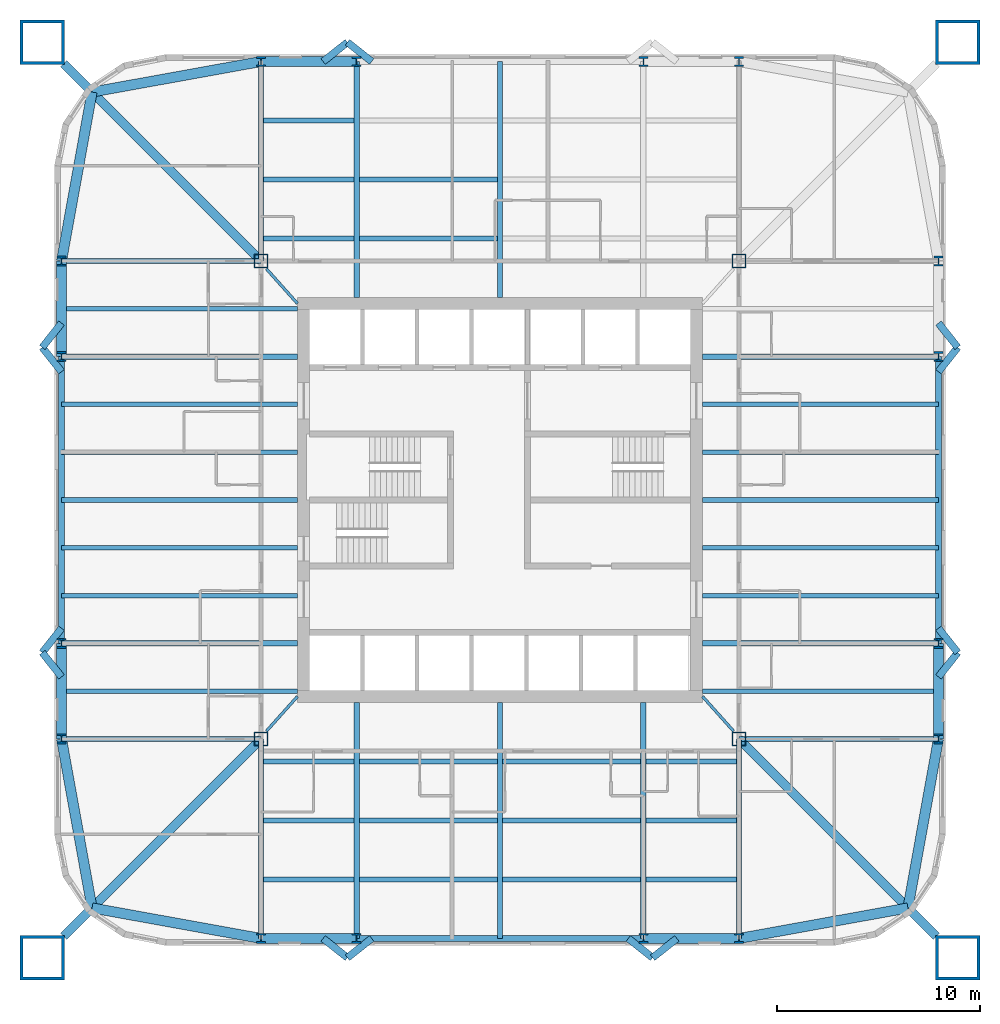
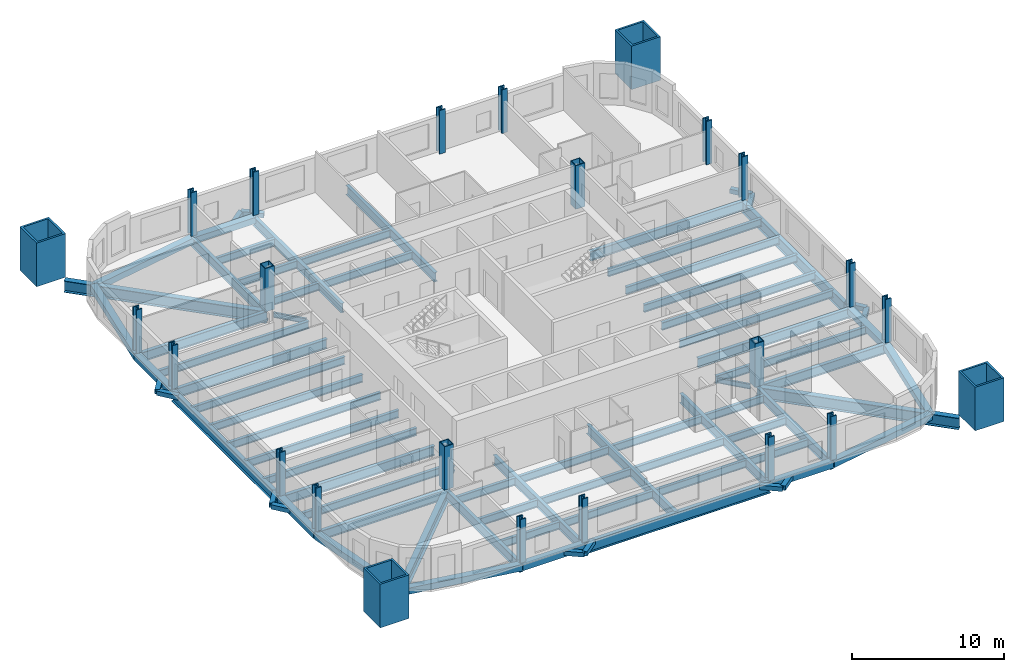
# One storey, part 1 of 9: 80 beams, 24 columns.
"""IFC4 building model written with IfcOpenShell, lengths in metres."""

from ifc_helpers import new_model, si_unit, direction, frame, origin, origin_2d, place, context, subcontext, project, spatial, hollow_rectangle, i_section, extrude, material, material_profile, profile_set, type_object, element, save


model = new_model("IFC4")

# Units and contexts
model_context = context("Model", 3, precision=1e-05, world=origin(), true_north=direction((0.0, 1.0)))
body_context = subcontext(model_context, "Body", "Model", "MODEL_VIEW")
ifc_project = project(units=[si_unit("LENGTHUNIT", "METRE"), si_unit("AREAUNIT", "SQUARE_METRE"), si_unit("VOLUMEUNIT", "CUBIC_METRE"), si_unit("PLANEANGLEUNIT", "RADIAN"), si_unit("MASSUNIT", "GRAM", prefix="KILO")], contexts=[model_context])

# Site, building, storey
site_placement = place(None, origin())
site = spatial("IfcSite", under=ifc_project, at=site_placement, CompositionType="ELEMENT")
building_placement = place(site_placement, origin())
building = spatial("IfcBuilding", under=site, at=building_placement, Name="Turquesa Mirador Hotel Tower", CompositionType="ELEMENT")
storey_placement = place(building_placement, frame((0.0, 0.0, 67.0)))
storey = spatial("IfcBuildingStorey", under=building, at=storey_placement, Name="L17", CompositionType="ELEMENT", Elevation=67.0)

# Columns
ifc_material_1 = material(Name="Steel ASTM A572 Grade 50", Category="steel")
ifc_material_profile_1 = material_profile(ifc_material_1, hollow_rectangle(XDim=0.699951171875, YDim=0.699951171875, WallThickness=0.06005859375, at=origin_2d()), Name="BOX700X700X60")
ifc_profile_set_1 = profile_set([ifc_material_profile_1], Name="Steel ASTM A572 Grade 50")
column_type_1 = type_object("IfcColumnType", Name="COLUMN BOX700X700X60", PredefinedType="COLUMN", material=ifc_profile_set_1)
for number, where, z_axis, x_axis, name in (
    (1, (43.199951171875, 33.199951171875, 0.0), (0.0, 0.0, 1.0), (1.0, 0.0, 0.0), "COL-L17-K--11.80--11.80"),
    (2, (43.199951171875, 56.800048828125, 0.0), (0.0, 0.0, 1.0), (1.0, 0.0, 0.0), "COL-L17-K--11.80-+11.80"),
    (3, (66.800048828125, 33.199951171875, 0.0), (0.0, 0.0, 1.0), (1.0, 0.0, 0.0), "COL-L17-K-+11.80--11.80"),
    (4, (66.800048828125, 56.800048828125, 0.0), (0.0, 0.0, 1.0), (1.0, 0.0, 0.0), "COL-L17-K-+11.80-+11.80"),
):
    element("IfcColumn", number, at=place(storey_placement, frame(where, z_axis=z_axis, x_axis=x_axis)), inside=storey, type_object=column_type_1, Name=name, PredefinedType="COLUMN", context=body_context, shape_type="SweptSolid", body=[
        extrude(hollow_rectangle(XDim=0.699951171875, YDim=0.699951171875, WallThickness=0.06005859375, at=origin_2d()), origin(), (0.0, 0.0, 1.0), 3.5),
    ])
ifc_material_2 = material(Name="Steel ASTM A992 Grade 50", Category="steel")
ifc_material_profile_2 = material_profile(ifc_material_2, i_section(OverallWidth=0.431884765625, OverallDepth=0.497802734375, WebThickness=0.0556640625, FlangeThickness=0.0888671875, at=origin_2d()), Name="W14X500")
ifc_profile_set_2 = profile_set([ifc_material_profile_2], Name="Steel ASTM A992 Grade 50")
column_type_2 = type_object("IfcColumnType", Name="COLUMN W14X500", PredefinedType="COLUMN", material=ifc_profile_set_2)
for number, where, z_axis, x_axis, name in (
    (5, (33.35009765625, 33.199951171875, 0.0), (0.0, 0.0, 1.0), (1.0, 0.0, 0.0), "COL-L17-P--21.65--11.80"),
    (6, (33.35009765625, 37.919921875, 0.0), (0.0, 0.0, 1.0), (1.0, 0.0, 0.0), "COL-L17-P--21.65--7.08"),
    (7, (33.35009765625, 52.080078125, 0.0), (0.0, 0.0, 1.0), (1.0, 0.0, 0.0), "COL-L17-P--21.65-+7.08"),
    (8, (33.35009765625, 56.800048828125, 0.0), (0.0, 0.0, 1.0), (1.0, 0.0, 0.0), "COL-L17-P--21.65-+11.80"),
    (9, (43.199951171875, 23.35009765625, 0.0), (0.0, 0.0, 1.0), (1.0, 0.0, 0.0), "COL-L17-P--11.80--21.65"),
    (10, (43.199951171875, 66.64990234375, 0.0), (0.0, 0.0, 1.0), (1.0, 0.0, 0.0), "COL-L17-P--11.80-+21.65"),
    (11, (47.919921875, 23.35009765625, 0.0), (0.0, 0.0, 1.0), (1.0, 0.0, 0.0), "COL-L17-P--7.08--21.65"),
    (12, (47.919921875, 66.64990234375, 0.0), (0.0, 0.0, 1.0), (1.0, 0.0, 0.0), "COL-L17-P--7.08-+21.65"),
    (13, (62.080078125, 23.35009765625, 0.0), (0.0, 0.0, 1.0), (1.0, 0.0, 0.0), "COL-L17-P-+7.08--21.65"),
    (14, (62.080078125, 66.64990234375, 0.0), (0.0, 0.0, 1.0), (1.0, 0.0, 0.0), "COL-L17-P-+7.08-+21.65"),
    (15, (66.800048828125, 23.35009765625, 0.0), (0.0, 0.0, 1.0), (1.0, 0.0, 0.0), "COL-L17-P-+11.80--21.65"),
    (16, (66.800048828125, 66.64990234375, 0.0), (0.0, 0.0, 1.0), (1.0, 0.0, 0.0), "COL-L17-P-+11.80-+21.65"),
    (17, (76.64990234375, 33.199951171875, 0.0), (0.0, 0.0, 1.0), (1.0, 0.0, 0.0), "COL-L17-P-+21.65--11.80"),
    (18, (76.64990234375, 37.919921875, 0.0), (0.0, 0.0, 1.0), (1.0, 0.0, 0.0), "COL-L17-P-+21.65--7.08"),
    (19, (76.64990234375, 52.080078125, 0.0), (0.0, 0.0, 1.0), (1.0, 0.0, 0.0), "COL-L17-P-+21.65-+7.08"),
    (20, (76.64990234375, 56.800048828125, 0.0), (0.0, 0.0, 1.0), (1.0, 0.0, 0.0), "COL-L17-P-+21.65-+11.80"),
):
    element("IfcColumn", number, at=place(storey_placement, frame(where, z_axis=z_axis, x_axis=x_axis)), inside=storey, type_object=column_type_2, Name=name, PredefinedType="COLUMN", context=body_context, shape_type="SweptSolid", body=[
        extrude(i_section(OverallWidth=0.431884765625, OverallDepth=0.497802734375, WebThickness=0.0556640625, FlangeThickness=0.0888671875, at=origin_2d()), origin(), (0.0, 0.0, 1.0), 3.5),
    ])
ifc_material_3 = material(Name="Steel ASTM A514 Grade Q", Category="steel")
ifc_material_profile_3 = material_profile(ifc_material_3, hollow_rectangle(XDim=2.199951171875, YDim=2.199951171875, WallThickness=0.14990234375, at=origin_2d()), Name="BOX2200X2200X150")
ifc_profile_set_3 = profile_set([ifc_material_profile_3], Name="Steel ASTM A514 Grade Q")
column_type_3 = type_object("IfcColumnType", Name="MEGA COLUMN BOX2200X2200X150", PredefinedType="COLUMN", material=ifc_profile_set_3)
for number, where, z_axis, x_axis, name in (
    (21, (77.60009765625, 67.60009765625, 0.0), (0.0, 0.0, 1.0), (1.0, 0.0, 0.0), "Mega column M1"),
    (22, (32.39990234375, 67.60009765625, 0.0), (0.0, 0.0, 1.0), (1.0, 0.0, 0.0), "Mega column M2"),
    (23, (32.39990234375, 22.39990234375, 0.0), (0.0, 0.0, 1.0), (1.0, 0.0, 0.0), "Mega column M3"),
    (24, (77.60009765625, 22.39990234375, 0.0), (0.0, 0.0, 1.0), (1.0, 0.0, 0.0), "Mega column M4"),
):
    element("IfcColumn", number, at=place(storey_placement, frame(where, z_axis=z_axis, x_axis=x_axis)), inside=storey, type_object=column_type_3, Name=name, PredefinedType="COLUMN", context=body_context, shape_type="SweptSolid", body=[
        extrude(hollow_rectangle(XDim=2.199951171875, YDim=2.199951171875, WallThickness=0.14990234375, at=origin_2d()), origin(), (0.0, 0.0, 1.0), 3.5),
    ])

# Beams
ifc_material_4 = material(Name="Steel ASTM A572 Grade 50", Category="steel")
ifc_material_profile_4 = material_profile(ifc_material_4, hollow_rectangle(XDim=0.5, YDim=0.5, WallThickness=0.01611328125, at=origin_2d()), Name="BOX500X500X16")
ifc_profile_set_4 = profile_set([ifc_material_profile_4], Name="Steel ASTM A572 Grade 50")
beam_type_1 = type_object("IfcBeamType", Name="BEAM BOX500X500X16", PredefinedType="BEAM", material=ifc_profile_set_4)
for number, where, z_axis, x_axis, name in (
    (25, (43.199951171875, 66.64990234375, -0.419921875), (1.0, 0.0, 0.0), (0.0, 1.0, 0.0), "EB-L17-N-L"),
    (26, (43.199951171875, 23.35009765625, -0.419921875), (1.0, 0.0, 0.0), (0.0, 1.0, 0.0), "EB-L17-S-L"),
    (27, (62.080078125, 23.35009765625, -0.419921875), (1.0, 0.0, 0.0), (0.0, 1.0, 0.0), "EB-L17-S-R"),
    (28, (76.64990234375, 33.199951171875, -0.419921875), (0.0, 1.0, 0.0), (-1.0, 0.0, 0.0), "EB-L17-E-L"),
    (29, (33.35009765625, 33.199951171875, -0.419921875), (0.0, 1.0, 0.0), (-1.0, 0.0, 0.0), "EB-L17-W-L"),
    (30, (33.35009765625, 52.080078125, -0.419921875), (0.0, 1.0, 0.0), (-1.0, 0.0, 0.0), "EB-L17-W-R"),
):
    element("IfcBeam", number, at=place(storey_placement, frame(where, z_axis=z_axis, x_axis=x_axis)), inside=storey, type_object=beam_type_1, Name=name, PredefinedType="BEAM", context=body_context, shape_type="SweptSolid", body=[
        extrude(hollow_rectangle(XDim=0.5, YDim=0.5, WallThickness=0.01611328125, at=origin_2d()), origin(), (0.0, 0.0, 1.0), 4.719970703125),
    ])
for number, where, z_axis, x_axis, name in (
    (31, (33.35009765625, 56.800048828125, -0.419921875), (0.177932387818, 0.984042715214, 0.0), (-0.984042715214, 0.177932387818, 0.0), "KE-L17-2-0"),
    (32, (34.8583984375, 65.1416015625, -0.419921875), (0.984042715214, 0.177932387818, 0.0), (-0.177932387818, 0.984042715214, 0.0), "KE-L17-2-1"),
    (33, (33.35009765625, 33.199951171875, -0.419921875), (0.177932387818, -0.984042715214, 0.0), (0.984042715214, 0.177932387818, 0.0), "KE-L17-3-0"),
    (34, (34.8583984375, 24.8583984375, -0.419921875), (0.984042715214, -0.177932387818, 0.0), (0.177932387818, 0.984042715214, 0.0), "KE-L17-3-1"),
    (35, (76.64990234375, 33.199951171875, -0.419921875), (-0.177932387818, -0.984042715214, 0.0), (0.984042715214, -0.177932387818, 0.0), "KE-L17-4-0"),
    (36, (75.1416015625, 24.8583984375, -0.419921875), (-0.984042715214, -0.177932387818, 0.0), (0.177932387818, -0.984042715214, 0.0), "KE-L17-4-1"),
):
    element("IfcBeam", number, at=place(storey_placement, frame(where, z_axis=z_axis, x_axis=x_axis)), inside=storey, type_object=beam_type_1, Name=name, PredefinedType="BEAM", context=body_context, shape_type="SweptSolid", body=[
        extrude(hollow_rectangle(XDim=0.5, YDim=0.5, WallThickness=0.01611328125, at=origin_2d()), origin(), (0.0, 0.0, 1.0), 8.476806640625),
    ])
ifc_material_5 = material(Name="Steel ASTM A992 Grade 50", Category="steel")
ifc_material_profile_5 = material_profile(ifc_material_5, i_section(OverallWidth=0.140380859375, OverallDepth=0.40380859375, WebThickness=0.007080078125, FlangeThickness=0.01123046875, at=origin_2d()), Name="W16X31")
ifc_profile_set_5 = profile_set([ifc_material_profile_5], Name="Steel ASTM A992 Grade 50")
beam_type_2 = type_object("IfcBeamType", Name="BEAM W16X31", PredefinedType="BEAM", material=ifc_profile_set_5)
for number, where, z_axis, x_axis, name in (
    (37, (43.470458984375, 56.40966796875, -0.371826171875), (0.666745084392, -0.745285846129, 0.0), (0.745285846129, 0.666745084392, 0.0), "KT-L17-2"),
    (38, (43.470458984375, 33.59033203125, -0.371826171875), (0.666745084392, 0.745285846129, 0.0), (-0.745285846129, 0.666745084392, 0.0), "KT-L17-3"),
    (39, (66.529541015625, 33.59033203125, -0.371826171875), (-0.666745084392, 0.745285846129, 0.0), (-0.745285846129, -0.666745084392, 0.0), "KT-L17-4"),
):
    element("IfcBeam", number, at=place(storey_placement, frame(where, z_axis=z_axis, x_axis=x_axis)), inside=storey, type_object=beam_type_2, Name=name, PredefinedType="BEAM", context=body_context, shape_type="SweptSolid", body=[
        extrude(i_section(OverallWidth=0.140380859375, OverallDepth=0.40380859375, WebThickness=0.007080078125, FlangeThickness=0.01123046875, at=origin_2d()), origin(), (0.0, 0.0, 1.0), 2.2939453125),
    ])
ifc_material_6 = material(Name="Steel ASTM A992 Grade 50", Category="steel")
ifc_material_profile_6 = material_profile(ifc_material_6, i_section(OverallWidth=0.228271484375, OverallDepth=0.607177734375, WebThickness=0.01123046875, FlangeThickness=0.017333984375, at=origin_2d()), Name="W24X76")
ifc_profile_set_6 = profile_set([ifc_material_profile_6], Name="Steel ASTM A992 Grade 50")
beam_type_3 = type_object("IfcBeamType", Name="BEAM W24X76", PredefinedType="BEAM", material=ifc_profile_set_6)
beam_1_placement = place(storey_placement, frame((43.333251953125, 57.912109375, -0.4736328125), z_axis=(1.0, 0.0, 0.0), x_axis=(0.0, 1.0, 0.0)))
element("IfcBeam", 40, at=beam_1_placement, inside=storey, type_object=beam_type_3, Name="IB-L17-N-1-0", PredefinedType="BEAM", context=body_context, shape_type="SweptSolid", body=[
    extrude(i_section(OverallWidth=0.228271484375, OverallDepth=0.607177734375, WebThickness=0.01123046875, FlangeThickness=0.017333984375, at=origin_2d()), origin(), (0.0, 0.0, 1.0), 4.453369140625),
])
beam_2_placement = place(storey_placement, frame((48.053466796875, 57.912109375, -0.4736328125), z_axis=(1.0, 0.0, 0.0), x_axis=(0.0, 1.0, 0.0)))
element("IfcBeam", 41, at=beam_2_placement, inside=storey, type_object=beam_type_3, Name="IB-L17-N-1-1", PredefinedType="BEAM", context=body_context, shape_type="SweptSolid", body=[
    extrude(i_section(OverallWidth=0.228271484375, OverallDepth=0.607177734375, WebThickness=0.01123046875, FlangeThickness=0.017333984375, at=origin_2d()), origin(), (0.0, 0.0, 1.0), 6.813232421875),
])
beam_3_placement = place(storey_placement, frame((43.333251953125, 60.824951171875, -0.4736328125), z_axis=(1.0, 0.0, 0.0), x_axis=(0.0, 1.0, 0.0)))
element("IfcBeam", 42, at=beam_3_placement, inside=storey, type_object=beam_type_3, Name="IB-L17-N-2-0", PredefinedType="BEAM", context=body_context, shape_type="SweptSolid", body=[
    extrude(i_section(OverallWidth=0.228271484375, OverallDepth=0.607177734375, WebThickness=0.01123046875, FlangeThickness=0.017333984375, at=origin_2d()), origin(), (0.0, 0.0, 1.0), 4.453369140625),
])
beam_4_placement = place(storey_placement, frame((48.053466796875, 60.824951171875, -0.4736328125), z_axis=(1.0, 0.0, 0.0), x_axis=(0.0, 1.0, 0.0)))
element("IfcBeam", 43, at=beam_4_placement, inside=storey, type_object=beam_type_3, Name="IB-L17-N-2-1", PredefinedType="BEAM", context=body_context, shape_type="SweptSolid", body=[
    extrude(i_section(OverallWidth=0.228271484375, OverallDepth=0.607177734375, WebThickness=0.01123046875, FlangeThickness=0.017333984375, at=origin_2d()), origin(), (0.0, 0.0, 1.0), 6.813232421875),
])
for number, where, z_axis, x_axis, name in (
    (44, (43.333251953125, 63.737060546875, -0.4736328125), (1.0, 0.0, 0.0), (0.0, 1.0, 0.0), "IB-L17-N-3-0"),
    (45, (43.333251953125, 32.087890625, -0.4736328125), (1.0, 0.0, 0.0), (0.0, 1.0, 0.0), "IB-L17-S-1-0"),
):
    element("IfcBeam", number, at=place(storey_placement, frame(where, z_axis=z_axis, x_axis=x_axis)), inside=storey, type_object=beam_type_3, Name=name, PredefinedType="BEAM", context=body_context, shape_type="SweptSolid", body=[
        extrude(i_section(OverallWidth=0.228271484375, OverallDepth=0.607177734375, WebThickness=0.01123046875, FlangeThickness=0.017333984375, at=origin_2d()), origin(), (0.0, 0.0, 1.0), 4.453369140625),
    ])
for number, where, z_axis, x_axis, name in (
    (46, (48.053466796875, 32.087890625, -0.4736328125), (1.0, 0.0, 0.0), (0.0, 1.0, 0.0), "IB-L17-S-1-1"),
    (47, (55.13330078125, 32.087890625, -0.4736328125), (1.0, 0.0, 0.0), (0.0, 1.0, 0.0), "IB-L17-S-1-2"),
):
    element("IfcBeam", number, at=place(storey_placement, frame(where, z_axis=z_axis, x_axis=x_axis)), inside=storey, type_object=beam_type_3, Name=name, PredefinedType="BEAM", context=body_context, shape_type="SweptSolid", body=[
        extrude(i_section(OverallWidth=0.228271484375, OverallDepth=0.607177734375, WebThickness=0.01123046875, FlangeThickness=0.017333984375, at=origin_2d()), origin(), (0.0, 0.0, 1.0), 6.813232421875),
    ])
for number, where, z_axis, x_axis, name in (
    (48, (62.21337890625, 32.087890625, -0.4736328125), (1.0, 0.0, 0.0), (0.0, 1.0, 0.0), "IB-L17-S-1-3"),
    (49, (43.333251953125, 29.175048828125, -0.4736328125), (1.0, 0.0, 0.0), (0.0, 1.0, 0.0), "IB-L17-S-2-0"),
):
    element("IfcBeam", number, at=place(storey_placement, frame(where, z_axis=z_axis, x_axis=x_axis)), inside=storey, type_object=beam_type_3, Name=name, PredefinedType="BEAM", context=body_context, shape_type="SweptSolid", body=[
        extrude(i_section(OverallWidth=0.228271484375, OverallDepth=0.607177734375, WebThickness=0.01123046875, FlangeThickness=0.017333984375, at=origin_2d()), origin(), (0.0, 0.0, 1.0), 4.453369140625),
    ])
for number, where, z_axis, x_axis, name in (
    (50, (48.053466796875, 29.175048828125, -0.4736328125), (1.0, 0.0, 0.0), (0.0, 1.0, 0.0), "IB-L17-S-2-1"),
    (51, (55.13330078125, 29.175048828125, -0.4736328125), (1.0, 0.0, 0.0), (0.0, 1.0, 0.0), "IB-L17-S-2-2"),
):
    element("IfcBeam", number, at=place(storey_placement, frame(where, z_axis=z_axis, x_axis=x_axis)), inside=storey, type_object=beam_type_3, Name=name, PredefinedType="BEAM", context=body_context, shape_type="SweptSolid", body=[
        extrude(i_section(OverallWidth=0.228271484375, OverallDepth=0.607177734375, WebThickness=0.01123046875, FlangeThickness=0.017333984375, at=origin_2d()), origin(), (0.0, 0.0, 1.0), 6.813232421875),
    ])
for number, where, z_axis, x_axis, name in (
    (52, (62.21337890625, 29.175048828125, -0.4736328125), (1.0, 0.0, 0.0), (0.0, 1.0, 0.0), "IB-L17-S-2-3"),
    (53, (43.333251953125, 26.262939453125, -0.4736328125), (1.0, 0.0, 0.0), (0.0, 1.0, 0.0), "IB-L17-S-3-0"),
):
    element("IfcBeam", number, at=place(storey_placement, frame(where, z_axis=z_axis, x_axis=x_axis)), inside=storey, type_object=beam_type_3, Name=name, PredefinedType="BEAM", context=body_context, shape_type="SweptSolid", body=[
        extrude(i_section(OverallWidth=0.228271484375, OverallDepth=0.607177734375, WebThickness=0.01123046875, FlangeThickness=0.017333984375, at=origin_2d()), origin(), (0.0, 0.0, 1.0), 4.453369140625),
    ])
for number, where, z_axis, x_axis, name in (
    (54, (48.053466796875, 26.262939453125, -0.4736328125), (1.0, 0.0, 0.0), (0.0, 1.0, 0.0), "IB-L17-S-3-1"),
    (55, (55.13330078125, 26.262939453125, -0.4736328125), (1.0, 0.0, 0.0), (0.0, 1.0, 0.0), "IB-L17-S-3-2"),
):
    element("IfcBeam", number, at=place(storey_placement, frame(where, z_axis=z_axis, x_axis=x_axis)), inside=storey, type_object=beam_type_3, Name=name, PredefinedType="BEAM", context=body_context, shape_type="SweptSolid", body=[
        extrude(i_section(OverallWidth=0.228271484375, OverallDepth=0.607177734375, WebThickness=0.01123046875, FlangeThickness=0.017333984375, at=origin_2d()), origin(), (0.0, 0.0, 1.0), 6.813232421875),
    ])
beam_5_placement = place(storey_placement, frame((62.21337890625, 26.262939453125, -0.4736328125), z_axis=(1.0, 0.0, 0.0), x_axis=(0.0, 1.0, 0.0)))
element("IfcBeam", 56, at=beam_5_placement, inside=storey, type_object=beam_type_3, Name="IB-L17-S-3-3", PredefinedType="BEAM", context=body_context, shape_type="SweptSolid", body=[
    extrude(i_section(OverallWidth=0.228271484375, OverallDepth=0.607177734375, WebThickness=0.01123046875, FlangeThickness=0.017333984375, at=origin_2d()), origin(), (0.0, 0.0, 1.0), 4.453369140625),
])
for number, where, z_axis, x_axis, name in (
    (57, (76.64990234375, 35.56005859375, -0.4736328125), (-1.0, 0.0, 0.0), (0.0, -1.0, 0.0), "BM-L17-E--9.44"),
    (58, (76.64990234375, 40.280029296875, -0.4736328125), (-1.0, 0.0, 0.0), (0.0, -1.0, 0.0), "BM-L17-E--4.72"),
    (59, (76.64990234375, 42.639892578125, -0.4736328125), (-1.0, 0.0, 0.0), (0.0, -1.0, 0.0), "BM-L17-E--2.36"),
    (60, (76.64990234375, 45.0, -0.4736328125), (-1.0, 0.0, 0.0), (0.0, -1.0, 0.0), "BM-L17-E-+0.00"),
    (61, (76.64990234375, 47.360107421875, -0.4736328125), (-1.0, 0.0, 0.0), (0.0, -1.0, 0.0), "BM-L17-E-+2.36"),
    (62, (76.64990234375, 49.719970703125, -0.4736328125), (-1.0, 0.0, 0.0), (0.0, -1.0, 0.0), "BM-L17-E-+4.72"),
    (63, (33.35009765625, 35.56005859375, -0.4736328125), (1.0, 0.0, 0.0), (0.0, 1.0, 0.0), "BM-L17-W--9.44"),
    (64, (33.35009765625, 40.280029296875, -0.4736328125), (1.0, 0.0, 0.0), (0.0, 1.0, 0.0), "BM-L17-W--4.72"),
    (65, (33.35009765625, 42.639892578125, -0.4736328125), (1.0, 0.0, 0.0), (0.0, 1.0, 0.0), "BM-L17-W--2.36"),
    (66, (33.35009765625, 45.0, -0.4736328125), (1.0, 0.0, 0.0), (0.0, 1.0, 0.0), "BM-L17-W-+0.00"),
    (67, (33.35009765625, 47.360107421875, -0.4736328125), (1.0, 0.0, 0.0), (0.0, 1.0, 0.0), "BM-L17-W-+2.36"),
    (68, (33.35009765625, 49.719970703125, -0.4736328125), (1.0, 0.0, 0.0), (0.0, 1.0, 0.0), "BM-L17-W-+4.72"),
    (69, (33.35009765625, 54.43994140625, -0.4736328125), (1.0, 0.0, 0.0), (0.0, 1.0, 0.0), "BM-L17-W-+9.44"),
):
    element("IfcBeam", number, at=place(storey_placement, frame(where, z_axis=z_axis, x_axis=x_axis)), inside=storey, type_object=beam_type_3, Name=name, PredefinedType="BEAM", context=body_context, shape_type="SweptSolid", body=[
        extrude(i_section(OverallWidth=0.228271484375, OverallDepth=0.607177734375, WebThickness=0.01123046875, FlangeThickness=0.017333984375, at=origin_2d()), origin(), (0.0, 0.0, 1.0), 11.64990234375),
    ])
ifc_material_7 = material(Name="Steel ASTM A992 Grade 50", Category="steel")
ifc_material_profile_7 = material_profile(ifc_material_7, i_section(OverallWidth=0.2666015625, OverallDepth=0.7568359375, WebThickness=0.013916015625, FlangeThickness=0.019287109375, at=origin_2d()), Name="W30X108")
ifc_profile_set_7 = profile_set([ifc_material_profile_7], Name="Steel ASTM A992 Grade 50")
beam_type_4 = type_object("IfcBeamType", Name="BEAM W30X108", PredefinedType="BEAM", material=ifc_profile_set_7)
for number, where, z_axis, x_axis, name in (
    (70, (47.919921875, 66.64990234375, -0.54833984375), (0.0, -1.0, 0.0), (1.0, 0.0, 0.0), "GD-L17-N--7.08"),
    (71, (55.0, 66.64990234375, -0.54833984375), (0.0, -1.0, 0.0), (1.0, 0.0, 0.0), "GD-L17-N-+0.00"),
):
    element("IfcBeam", number, at=place(storey_placement, frame(where, z_axis=z_axis, x_axis=x_axis)), inside=storey, type_object=beam_type_4, Name=name, PredefinedType="BEAM", context=body_context, shape_type="SweptSolid", body=[
        extrude(i_section(OverallWidth=0.2666015625, OverallDepth=0.7568359375, WebThickness=0.013916015625, FlangeThickness=0.019287109375, at=origin_2d()), origin(), (0.0, 0.0, 1.0), 11.64990234375),
    ])
beam_6_placement = place(storey_placement, frame((43.199951171875, 66.64990234375, -0.54833984375), z_axis=(0.0, -1.0, 0.0), x_axis=(1.0, 0.0, 0.0)))
element("IfcBeam", 72, at=beam_6_placement, inside=storey, type_object=beam_type_4, Name="GK-L17-N--11.80", PredefinedType="BEAM", context=body_context, shape_type="SweptSolid", body=[
    extrude(i_section(OverallWidth=0.2666015625, OverallDepth=0.7568359375, WebThickness=0.013916015625, FlangeThickness=0.019287109375, at=origin_2d()), origin(), (0.0, 0.0, 1.0), 9.849853515625),
])
for number, where, z_axis, x_axis, name in (
    (73, (47.919921875, 23.35009765625, -0.54833984375), (0.0, 1.0, 0.0), (-1.0, 0.0, 0.0), "GD-L17-S--7.08"),
    (74, (62.080078125, 23.35009765625, -0.54833984375), (0.0, 1.0, 0.0), (-1.0, 0.0, 0.0), "GD-L17-S-+7.08"),
    (75, (55.0, 23.35009765625, -0.54833984375), (0.0, 1.0, 0.0), (-1.0, 0.0, 0.0), "GD-L17-S-+0.00"),
):
    element("IfcBeam", number, at=place(storey_placement, frame(where, z_axis=z_axis, x_axis=x_axis)), inside=storey, type_object=beam_type_4, Name=name, PredefinedType="BEAM", context=body_context, shape_type="SweptSolid", body=[
        extrude(i_section(OverallWidth=0.2666015625, OverallDepth=0.7568359375, WebThickness=0.013916015625, FlangeThickness=0.019287109375, at=origin_2d()), origin(), (0.0, 0.0, 1.0), 11.64990234375),
    ])
for number, where, z_axis, x_axis, name in (
    (76, (43.199951171875, 23.35009765625, -0.54833984375), (0.0, 1.0, 0.0), (-1.0, 0.0, 0.0), "GK-L17-S--11.80"),
    (77, (66.800048828125, 23.35009765625, -0.54833984375), (0.0, 1.0, 0.0), (-1.0, 0.0, 0.0), "GK-L17-S-+11.80"),
):
    element("IfcBeam", number, at=place(storey_placement, frame(where, z_axis=z_axis, x_axis=x_axis)), inside=storey, type_object=beam_type_4, Name=name, PredefinedType="BEAM", context=body_context, shape_type="SweptSolid", body=[
        extrude(i_section(OverallWidth=0.2666015625, OverallDepth=0.7568359375, WebThickness=0.013916015625, FlangeThickness=0.019287109375, at=origin_2d()), origin(), (0.0, 0.0, 1.0), 9.849853515625),
    ])
for number, where, z_axis, x_axis, name in (
    (78, (76.64990234375, 37.919921875, -0.54833984375), (-1.0, 0.0, 0.0), (0.0, -1.0, 0.0), "GD-L17-E--7.08"),
    (79, (76.64990234375, 52.080078125, -0.54833984375), (-1.0, 0.0, 0.0), (0.0, -1.0, 0.0), "GD-L17-E-+7.08"),
):
    element("IfcBeam", number, at=place(storey_placement, frame(where, z_axis=z_axis, x_axis=x_axis)), inside=storey, type_object=beam_type_4, Name=name, PredefinedType="BEAM", context=body_context, shape_type="SweptSolid", body=[
        extrude(i_section(OverallWidth=0.2666015625, OverallDepth=0.7568359375, WebThickness=0.013916015625, FlangeThickness=0.019287109375, at=origin_2d()), origin(), (0.0, 0.0, 1.0), 11.64990234375),
    ])
beam_7_placement = place(storey_placement, frame((76.64990234375, 33.199951171875, -0.54833984375), z_axis=(-1.0, 0.0, 0.0), x_axis=(0.0, -1.0, 0.0)))
element("IfcBeam", 80, at=beam_7_placement, inside=storey, type_object=beam_type_4, Name="GK-L17-E--11.80", PredefinedType="BEAM", context=body_context, shape_type="SweptSolid", body=[
    extrude(i_section(OverallWidth=0.2666015625, OverallDepth=0.7568359375, WebThickness=0.013916015625, FlangeThickness=0.019287109375, at=origin_2d()), origin(), (0.0, 0.0, 1.0), 9.849853515625),
])
for number, where, z_axis, x_axis, name in (
    (81, (33.35009765625, 37.919921875, -0.54833984375), (1.0, 0.0, 0.0), (0.0, 1.0, 0.0), "GD-L17-W--7.08"),
    (82, (33.35009765625, 52.080078125, -0.54833984375), (1.0, 0.0, 0.0), (0.0, 1.0, 0.0), "GD-L17-W-+7.08"),
):
    element("IfcBeam", number, at=place(storey_placement, frame(where, z_axis=z_axis, x_axis=x_axis)), inside=storey, type_object=beam_type_4, Name=name, PredefinedType="BEAM", context=body_context, shape_type="SweptSolid", body=[
        extrude(i_section(OverallWidth=0.2666015625, OverallDepth=0.7568359375, WebThickness=0.013916015625, FlangeThickness=0.019287109375, at=origin_2d()), origin(), (0.0, 0.0, 1.0), 11.64990234375),
    ])
for number, where, z_axis, x_axis, name in (
    (83, (33.35009765625, 33.199951171875, -0.54833984375), (1.0, 0.0, 0.0), (0.0, 1.0, 0.0), "GK-L17-W--11.80"),
    (84, (33.35009765625, 56.800048828125, -0.54833984375), (1.0, 0.0, 0.0), (0.0, 1.0, 0.0), "GK-L17-W-+11.80"),
):
    element("IfcBeam", number, at=place(storey_placement, frame(where, z_axis=z_axis, x_axis=x_axis)), inside=storey, type_object=beam_type_4, Name=name, PredefinedType="BEAM", context=body_context, shape_type="SweptSolid", body=[
        extrude(i_section(OverallWidth=0.2666015625, OverallDepth=0.7568359375, WebThickness=0.013916015625, FlangeThickness=0.019287109375, at=origin_2d()), origin(), (0.0, 0.0, 1.0), 9.849853515625),
    ])
ifc_material_8 = material(Name="Steel ASTM A992 Grade 50", Category="steel")
ifc_material_profile_8 = material_profile(ifc_material_8, i_section(OverallWidth=0.3046875, OverallDepth=0.911865234375, WebThickness=0.015869140625, FlangeThickness=0.02392578125, at=origin_2d()), Name="W36X150")
ifc_profile_set_8 = profile_set([ifc_material_profile_8], Name="Steel ASTM A992 Grade 50")
beam_type_5 = type_object("IfcBeamType", Name="BEAM W36X150", PredefinedType="BEAM", material=ifc_profile_set_8)
for number, where, z_axis, x_axis, name in (
    (85, (47.919921875, 23.35009765625, -0.6259765625), (1.0, 0.0, 0.0), (0.0, 1.0, 0.0), "EB-L17-S-C"),
    (86, (76.64990234375, 37.919921875, -0.6259765625), (0.0, 1.0, 0.0), (-1.0, 0.0, 0.0), "EB-L17-E-C"),
    (87, (33.35009765625, 37.919921875, -0.6259765625), (0.0, 1.0, 0.0), (-1.0, 0.0, 0.0), "EB-L17-W-C"),
):
    element("IfcBeam", number, at=place(storey_placement, frame(where, z_axis=z_axis, x_axis=x_axis)), inside=storey, type_object=beam_type_5, Name=name, PredefinedType="BEAM", context=body_context, shape_type="SweptSolid", body=[
        extrude(i_section(OverallWidth=0.3046875, OverallDepth=0.911865234375, WebThickness=0.015869140625, FlangeThickness=0.02392578125, at=origin_2d()), origin(), (0.0, 0.0, 1.0), 14.16015625),
    ])
ifc_material_9 = material(Name="Steel ASTM A992 Grade 50", Category="steel")
ifc_material_profile_9 = material_profile(ifc_material_9, i_section(OverallWidth=0.419189453125, OverallDepth=0.927001953125, WebThickness=0.019287109375, FlangeThickness=0.031982421875, at=origin_2d()), Name="W36X231")
ifc_profile_set_9 = profile_set([ifc_material_profile_9], Name="Steel ASTM A992 Grade 50")
beam_type_6 = type_object("IfcBeamType", Name="BEAM W36X231", PredefinedType="BEAM", material=ifc_profile_set_9)
for number, where, z_axis, x_axis, name in (
    (88, (43.199951171875, 56.800048828125, -0.633544921875), (-0.707106781187, 0.707106781187, 0.0), (-0.707106781187, -0.707106781187, 0.0), "KD-L17-2"),
    (89, (43.199951171875, 33.199951171875, -0.633544921875), (-0.707106781187, -0.707106781187, 0.0), (0.707106781187, -0.707106781187, 0.0), "KD-L17-3"),
    (90, (66.800048828125, 33.199951171875, -0.633544921875), (0.707106781187, -0.707106781187, 0.0), (0.707106781187, 0.707106781187, 0.0), "KD-L17-4"),
):
    element("IfcBeam", number, at=place(storey_placement, frame(where, z_axis=z_axis, x_axis=x_axis)), inside=storey, type_object=beam_type_6, Name=name, PredefinedType="BEAM", context=body_context, shape_type="SweptSolid", body=[
        extrude(i_section(OverallWidth=0.419189453125, OverallDepth=0.927001953125, WebThickness=0.019287109375, FlangeThickness=0.031982421875, at=origin_2d()), origin(), (0.0, 0.0, 1.0), 13.78857421875),
    ])
ifc_material_10 = material(Name="Steel ASTM A500 Grade C", Category="steel")
ifc_material_profile_10 = material_profile(ifc_material_10, hollow_rectangle(XDim=0.355712890625, YDim=0.355712890625, WallThickness=0.0146484375, at=origin_2d()), Name="HSS14X14X5/8")
ifc_profile_set_10 = profile_set([ifc_material_profile_10], Name="Steel ASTM A500 Grade C")
beam_type_7 = type_object("IfcBeamType", Name="BRACE STRUT HSS14X14X5/8", PredefinedType="BEAM", material=ifc_profile_set_10)
beam_8_placement = place(storey_placement, frame((47.466552734375, 67.60009765625, -0.347900390625), z_axis=(-0.783971428146, -0.620796907089, 0.0), x_axis=(0.620796907089, -0.783971428146, 0.0)))
element("IfcBeam", 91, at=beam_8_placement, inside=storey, type_object=beam_type_7, Name="Brace strut", PredefinedType="BEAM", context=body_context, shape_type="SweptSolid", body=[
    extrude(hollow_rectangle(XDim=0.355712890625, YDim=0.355712890625, WallThickness=0.0146484375, at=origin_2d()), origin(), (0.0, 0.0, 1.0), 1.530517578125),
])
for number, where, z_axis, x_axis, name in (
    (92, (47.466552734375, 67.60009765625, -0.347900390625), (0.784032888399, -0.620719284306, 0.0), (0.620719284306, 0.784032888399, 0.0), "Brace strut"),
    (93, (62.533447265625, 22.39990234375, -0.347900390625), (-0.784032888399, 0.620719284306, 0.0), (-0.620719284306, -0.784032888399, 0.0), "Brace strut"),
):
    element("IfcBeam", number, at=place(storey_placement, frame(where, z_axis=z_axis, x_axis=x_axis)), inside=storey, type_object=beam_type_7, Name=name, PredefinedType="BEAM", context=body_context, shape_type="SweptSolid", body=[
        extrude(hollow_rectangle(XDim=0.355712890625, YDim=0.355712890625, WallThickness=0.0146484375, at=origin_2d()), origin(), (0.0, 0.0, 1.0), 1.53076171875),
    ])
for number, where, z_axis, x_axis, name in (
    (94, (62.533447265625, 22.39990234375, -0.347900390625), (0.783971428146, 0.620796907089, 0.0), (-0.620796907089, 0.783971428146, 0.0), "Brace strut"),
    (95, (47.466552734375, 22.39990234375, -0.347900390625), (-0.783971428146, 0.620796907089, 0.0), (-0.620796907089, -0.783971428146, 0.0), "Brace strut"),
):
    element("IfcBeam", number, at=place(storey_placement, frame(where, z_axis=z_axis, x_axis=x_axis)), inside=storey, type_object=beam_type_7, Name=name, PredefinedType="BEAM", context=body_context, shape_type="SweptSolid", body=[
        extrude(hollow_rectangle(XDim=0.355712890625, YDim=0.355712890625, WallThickness=0.0146484375, at=origin_2d()), origin(), (0.0, 0.0, 1.0), 1.530517578125),
    ])
for number, where, z_axis, x_axis, name in (
    (96, (47.466552734375, 22.39990234375, -0.347900390625), (0.784032888399, 0.620719284306, 0.0), (-0.620719284306, 0.784032888399, 0.0), "Brace strut"),
    (97, (77.60009765625, 52.533447265625, -0.347900390625), (-0.620719284306, -0.784032888399, 0.0), (0.784032888399, -0.620719284306, 0.0), "Brace strut"),
):
    element("IfcBeam", number, at=place(storey_placement, frame(where, z_axis=z_axis, x_axis=x_axis)), inside=storey, type_object=beam_type_7, Name=name, PredefinedType="BEAM", context=body_context, shape_type="SweptSolid", body=[
        extrude(hollow_rectangle(XDim=0.355712890625, YDim=0.355712890625, WallThickness=0.0146484375, at=origin_2d()), origin(), (0.0, 0.0, 1.0), 1.53076171875),
    ])
for number, where, z_axis, x_axis, name in (
    (98, (77.60009765625, 52.533447265625, -0.347900390625), (-0.620796907089, 0.783971428146, 0.0), (-0.783971428146, -0.620796907089, 0.0), "Brace strut"),
    (99, (77.60009765625, 37.466552734375, -0.347900390625), (-0.620796907089, -0.783971428146, 0.0), (0.783971428146, -0.620796907089, 0.0), "Brace strut"),
):
    element("IfcBeam", number, at=place(storey_placement, frame(where, z_axis=z_axis, x_axis=x_axis)), inside=storey, type_object=beam_type_7, Name=name, PredefinedType="BEAM", context=body_context, shape_type="SweptSolid", body=[
        extrude(hollow_rectangle(XDim=0.355712890625, YDim=0.355712890625, WallThickness=0.0146484375, at=origin_2d()), origin(), (0.0, 0.0, 1.0), 1.530517578125),
    ])
for number, where, z_axis, x_axis, name in (
    (100, (77.60009765625, 37.466552734375, -0.347900390625), (-0.620719284306, 0.784032888399, 0.0), (-0.784032888399, -0.620719284306, 0.0), "Brace strut"),
    (101, (32.39990234375, 52.533447265625, -0.347900390625), (0.620719284306, -0.784032888399, 0.0), (0.784032888399, 0.620719284306, 0.0), "Brace strut"),
):
    element("IfcBeam", number, at=place(storey_placement, frame(where, z_axis=z_axis, x_axis=x_axis)), inside=storey, type_object=beam_type_7, Name=name, PredefinedType="BEAM", context=body_context, shape_type="SweptSolid", body=[
        extrude(hollow_rectangle(XDim=0.355712890625, YDim=0.355712890625, WallThickness=0.0146484375, at=origin_2d()), origin(), (0.0, 0.0, 1.0), 1.53076171875),
    ])
for number, where, z_axis, x_axis, name in (
    (102, (32.39990234375, 52.533447265625, -0.347900390625), (0.620796907089, 0.783971428146, 0.0), (-0.783971428146, 0.620796907089, 0.0), "Brace strut"),
    (103, (32.39990234375, 37.466552734375, -0.347900390625), (0.620796907089, -0.783971428146, 0.0), (0.783971428146, 0.620796907089, 0.0), "Brace strut"),
):
    element("IfcBeam", number, at=place(storey_placement, frame(where, z_axis=z_axis, x_axis=x_axis)), inside=storey, type_object=beam_type_7, Name=name, PredefinedType="BEAM", context=body_context, shape_type="SweptSolid", body=[
        extrude(hollow_rectangle(XDim=0.355712890625, YDim=0.355712890625, WallThickness=0.0146484375, at=origin_2d()), origin(), (0.0, 0.0, 1.0), 1.530517578125),
    ])
beam_9_placement = place(storey_placement, frame((32.39990234375, 37.466552734375, -0.347900390625), z_axis=(0.620719284306, 0.784032888399, 0.0), x_axis=(-0.784032888399, 0.620719284306, 0.0)))
element("IfcBeam", 104, at=beam_9_placement, inside=storey, type_object=beam_type_7, Name="Brace strut", PredefinedType="BEAM", context=body_context, shape_type="SweptSolid", body=[
    extrude(hollow_rectangle(XDim=0.355712890625, YDim=0.355712890625, WallThickness=0.0146484375, at=origin_2d()), origin(), (0.0, 0.0, 1.0), 1.53076171875),
])

save(model, "model.ifc")
